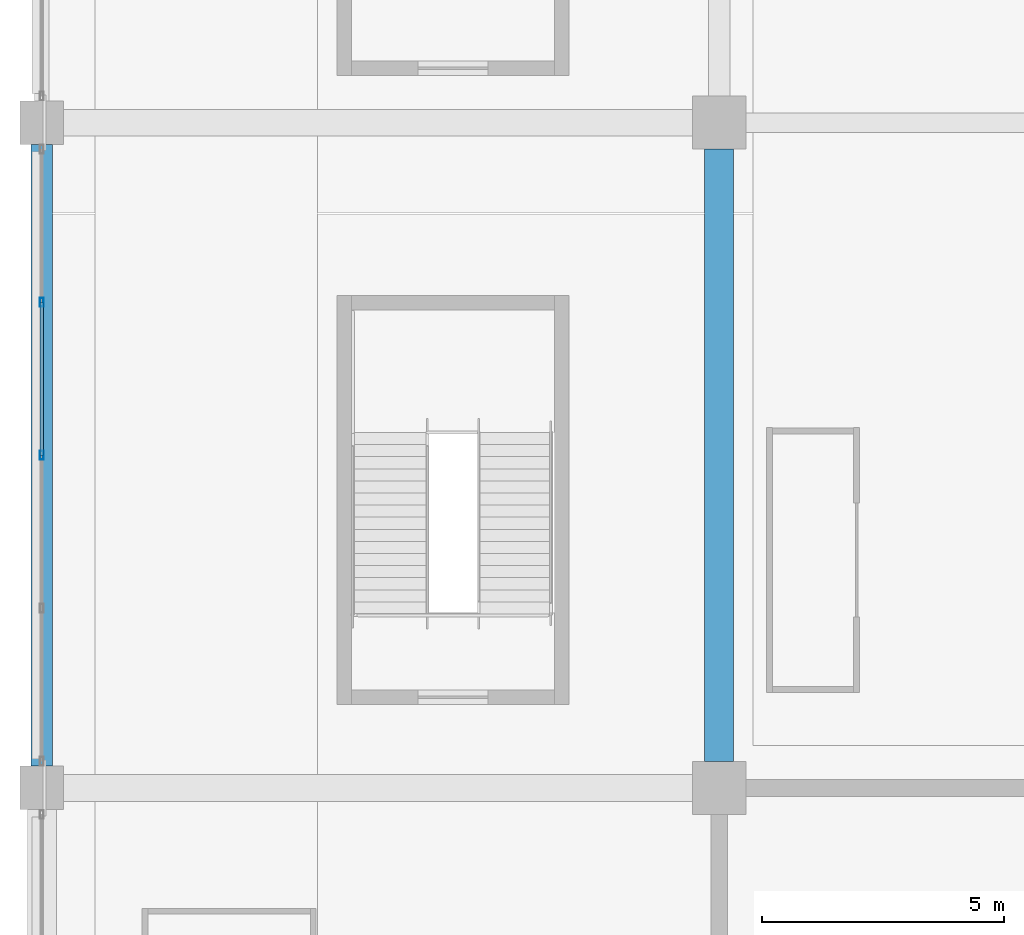
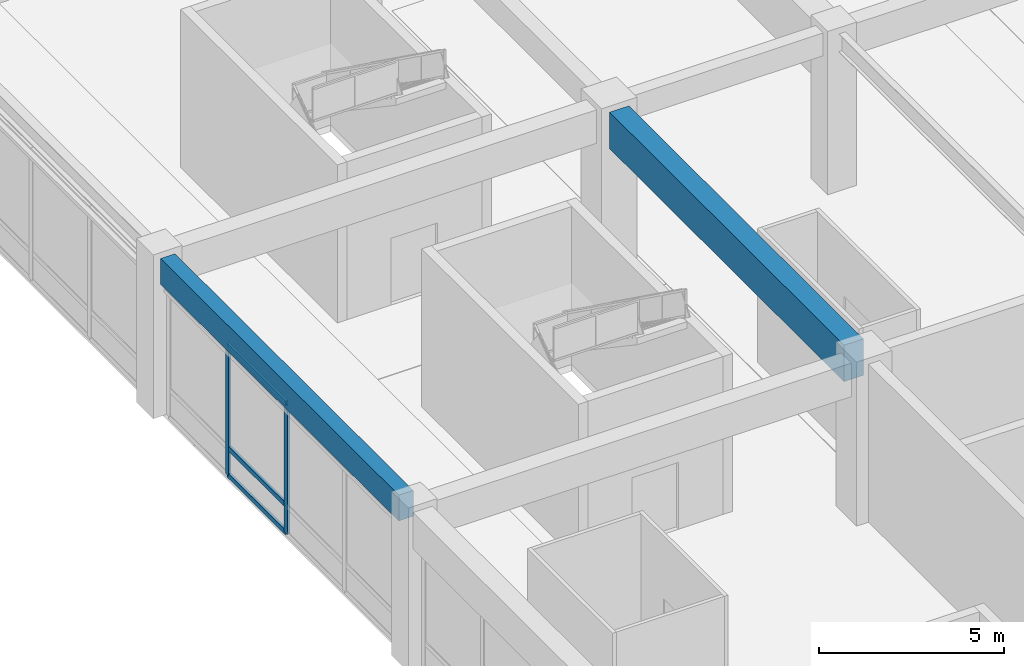
# One storey, part 39 of 117: 5 members, 2 beams, 1 element without a shape of its own.
"""IFC4 building model written with IfcOpenShell, lengths in metres."""

from ifc_helpers import new_model, si_unit, direction, frame, origin, origin_2d, place, context, subcontext, project, spatial, rectangle, hollow_rectangle, extrude, material, material_profile, profile_set, type_object, element, aggregate, save


model = new_model("IFC4")

# Units and contexts
model_context = context("Model", 3, precision=1e-05, world=origin(), true_north=direction((0.0, 1.0)))
body_context = subcontext(model_context, "Body", "Model", "MODEL_VIEW")
ifc_project = project(units=[si_unit("LENGTHUNIT", "METRE"), si_unit("AREAUNIT", "SQUARE_METRE"), si_unit("VOLUMEUNIT", "CUBIC_METRE"), si_unit("PLANEANGLEUNIT", "RADIAN"), si_unit("MASSUNIT", "GRAM", prefix="KILO")], contexts=[model_context])

# Site, building, storey
site_placement = place(None, origin())
site = spatial("IfcSite", under=ifc_project, at=site_placement, CompositionType="ELEMENT")
building_placement = place(site_placement, origin())
building = spatial("IfcBuilding", under=site, at=building_placement, Name="Linyun Crest Stadium", CompositionType="ELEMENT")
storey_placement = place(building_placement, frame((0.0, 0.0, 6.0)))
storey = spatial("IfcBuildingStorey", under=building, at=storey_placement, Name="L02", CompositionType="ELEMENT", Elevation=6.0)

# Beam
ifc_material_1 = material(Name="Concrete C40", Category="concrete")
ifc_material_profile_1 = material_profile(ifc_material_1, rectangle(XDim=0.449951171875, YDim=0.85009765625, at=origin_2d()), Name="RCB 850x450")
ifc_profile_set_1 = profile_set([ifc_material_profile_1], Name="Concrete C40")
beam_type_1 = type_object("IfcBeamType", Name="B04", PredefinedType="BEAM", material=ifc_profile_set_1)
beam_1_placement = place(storey_placement, frame((-98.0, -24.925048828125, 4.77490234375), z_axis=(0.0, 1.0, 0.0), x_axis=(-1.0, 0.0, 0.0)))
element("IfcBeam", 1, at=beam_1_placement, inside=storey, type_object=beam_type_1, Name="Frame beam B04 L02 200", PredefinedType="BEAM", context=body_context, shape_type="SweptSolid", body=[
    extrude(rectangle(XDim=0.449951171875, YDim=0.85009765625, at=origin_2d()), origin(), (0.0, 0.0, 1.0), 12.85009765625),
])

# Curtain wall, members
ifc_material_2 = material(Name="Verdigris steel and low-E curtain wall assembly", Category="steel")
curtain_wall_type = type_object("IfcCurtainWallType", Name="MCW01", PredefinedType="NOTDEFINED", material=ifc_material_2)
curtain_wall_placement = place(storey_placement, origin())
curtain_wall = element("IfcCurtainWall", 2, at=curtain_wall_placement, inside=storey, type_object=curtain_wall_type, Name="CWR-082", PredefinedType="NOTDEFINED")
ifc_material_3 = material(Name="Verdigris painted steel Q355B mullion", Category="steel")
ifc_material_profile_2 = material_profile(ifc_material_3, hollow_rectangle(XDim=0.080078125, YDim=0.179931640625, WallThickness=0.006103515625, at=origin_2d()), Name="RHS 180x80x6")
ifc_profile_set_2 = profile_set([ifc_material_profile_2], Name="Verdigris painted steel Q355B mullion")
member_type_1 = type_object("IfcMemberType", Name="ML02", PredefinedType="MULLION", material=ifc_profile_set_2)
member_1_placement = place(storey_placement, frame((-98.0, -18.5, 0.0), z_axis=(0.0, 0.0, 1.0), x_axis=(-1.0, 0.0, 0.0)))
member_1 = element("IfcMember", 3, at=member_1_placement, type_object=member_type_1, Name="CWR-082 mullion 3", PredefinedType="MULLION", context=body_context, shape_type="SweptSolid", body=[
    extrude(hollow_rectangle(XDim=0.080078125, YDim=0.179931640625, WallThickness=0.006103515625, at=origin_2d()), origin(), (0.0, 0.0, 1.0), 4.25),
])
member_2_placement = place(storey_placement, frame((-98.0, -15.337890625, 0.0), z_axis=(0.0, 0.0, 1.0), x_axis=(-1.0, 0.0, 0.0)))
member_2 = element("IfcMember", 4, at=member_2_placement, type_object=member_type_1, Name="CWR-082 mullion 4", PredefinedType="MULLION", context=body_context, shape_type="SweptSolid", body=[
    extrude(hollow_rectangle(XDim=0.080078125, YDim=0.179931640625, WallThickness=0.006103515625, at=origin_2d()), origin(), (0.0, 0.0, 1.0), 4.25),
])

# Beam
ifc_material_4 = material(Name="Concrete C50", Category="concrete")
ifc_material_profile_3 = material_profile(ifc_material_4, rectangle(XDim=0.60009765625, YDim=1.199951171875, at=origin_2d()), Name="RCB 1200x600")
ifc_profile_set_3 = profile_set([ifc_material_profile_3], Name="Concrete C50")
beam_type_2 = type_object("IfcBeamType", Name="TB02", PredefinedType="USERDEFINED", material=ifc_profile_set_3)
beam_2_placement = place(storey_placement, frame((-84.0, -24.824951171875, 4.60009765625), z_axis=(0.0, 1.0, 0.0), x_axis=(-1.0, 0.0, 0.0)))
element("IfcBeam", 5, at=beam_2_placement, inside=storey, type_object=beam_type_2, Name="Frame beam TB02 L02 206", ObjectType="GIRDER", PredefinedType="USERDEFINED", context=body_context, shape_type="SweptSolid", body=[
    extrude(rectangle(XDim=0.60009765625, YDim=1.199951171875, at=origin_2d()), origin(), (0.0, 0.0, 1.0), 12.64990234375),
])

# Member
ifc_material_5 = material(Name="Aluminium thermally broken transom", Category="aluminium")
ifc_material_profile_4 = material_profile(ifc_material_5, hollow_rectangle(XDim=0.080078125, YDim=0.159912109375, WallThickness=0.006103515625, at=origin_2d()), Name="RHS 160x80x6")
ifc_profile_set_4 = profile_set([ifc_material_profile_4], Name="Aluminium thermally broken transom")
member_type_2 = type_object("IfcMemberType", Name="TR01", PredefinedType="USERDEFINED", material=ifc_profile_set_4)
member_3_placement = place(storey_placement, frame((-98.0, -18.5, 0.0), z_axis=(0.0, 1.0, 0.0), x_axis=(-1.0, 0.0, 0.0)))
member_3 = element("IfcMember", 6, at=member_3_placement, type_object=member_type_2, Name="CWR-082 transom 3.1", ObjectType="TRANSOM", PredefinedType="USERDEFINED", context=body_context, shape_type="SweptSolid", body=[
    extrude(hollow_rectangle(XDim=0.080078125, YDim=0.159912109375, WallThickness=0.006103515625, at=origin_2d()), origin(), (0.0, 0.0, 1.0), 3.162109375),
])

member_4_placement = place(storey_placement, frame((-98.0, -18.5, 0.89990234375), z_axis=(0.0, 1.0, 0.0), x_axis=(-1.0, 0.0, 0.0)))
member_4 = element("IfcMember", 7, at=member_4_placement, type_object=member_type_2, Name="CWR-082 transom 3.2", ObjectType="TRANSOM", PredefinedType="USERDEFINED", context=body_context, shape_type="SweptSolid", body=[
    extrude(hollow_rectangle(XDim=0.080078125, YDim=0.159912109375, WallThickness=0.006103515625, at=origin_2d()), origin(), (0.0, 0.0, 1.0), 3.162109375),
])

member_5_placement = place(storey_placement, frame((-98.0, -18.5, 4.25), z_axis=(0.0, 1.0, 0.0), x_axis=(-1.0, 0.0, 0.0)))
member_5 = element("IfcMember", 8, at=member_5_placement, type_object=member_type_2, Name="CWR-082 transom 3.3", ObjectType="TRANSOM", PredefinedType="USERDEFINED", context=body_context, shape_type="SweptSolid", body=[
    extrude(hollow_rectangle(XDim=0.080078125, YDim=0.159912109375, WallThickness=0.006103515625, at=origin_2d()), origin(), (0.0, 0.0, 1.0), 3.162109375),
])

aggregate(curtain_wall, [member_1, member_2, member_3, member_4, member_5])

save(model, "model.ifc")
